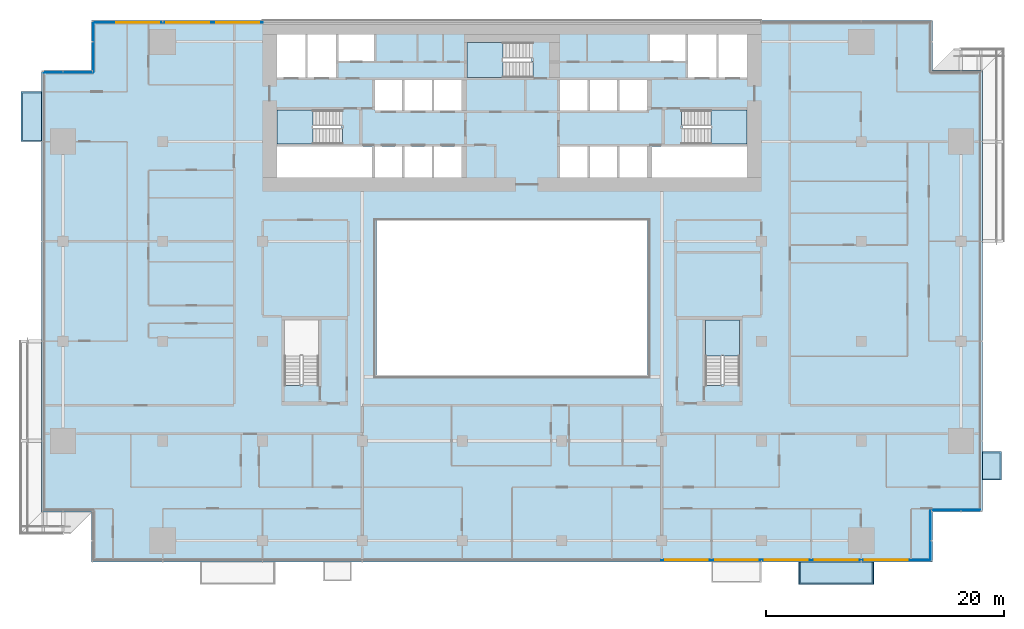
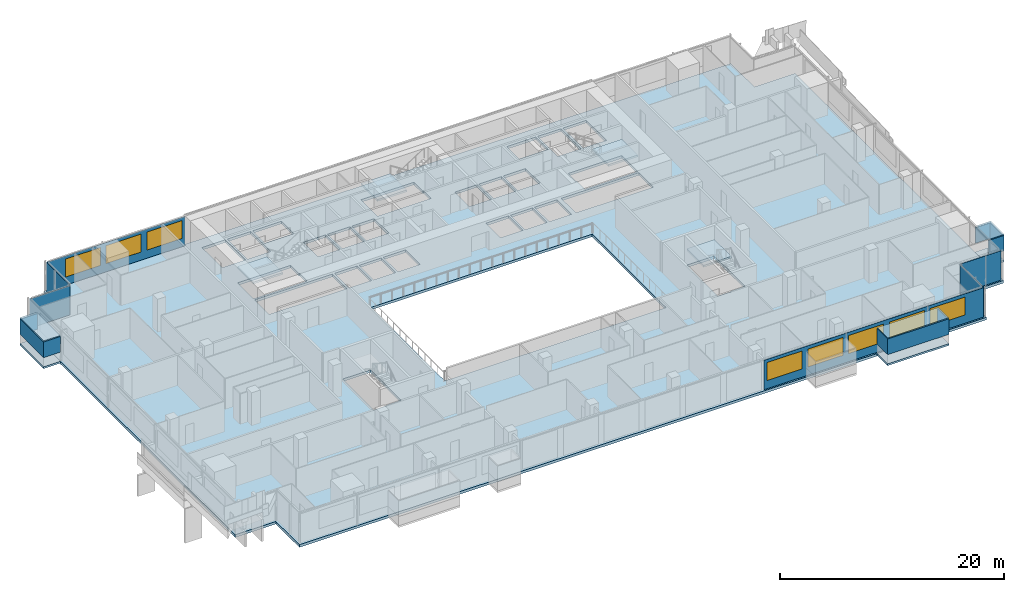
# One storey, part 16 of 29: 12 plates, 8 slabs, 8 windows, 8 openings, 10 elements without a shape of their own.
"""IFC4 building model written with IfcOpenShell, lengths in metres."""

from ifc_helpers import new_model, si_unit, direction, frame, frame_2d, origin, place, context, subcontext, project, spatial, polyline, rectangle, outline, extrude, material, layer, layer_set, type_object, element, fill, aggregate, save


model = new_model("IFC4")

# Units and contexts
model_context = context("Model", 3, precision=1e-05, world=origin(), true_north=direction((0.0, 1.0)))
body_context = subcontext(model_context, "Body", "Model", "MODEL_VIEW")
ifc_project = project(units=[si_unit("LENGTHUNIT", "METRE"), si_unit("AREAUNIT", "SQUARE_METRE"), si_unit("VOLUMEUNIT", "CUBIC_METRE"), si_unit("PLANEANGLEUNIT", "RADIAN"), si_unit("MASSUNIT", "GRAM", prefix="KILO")], contexts=[model_context])

# Site, building, storey
site_placement = place(None, origin())
site = spatial("IfcSite", under=ifc_project, at=site_placement, CompositionType="ELEMENT")
building_placement = place(site_placement, origin())
building = spatial("IfcBuilding", under=site, at=building_placement, Name="Saffron Gate Tower", CompositionType="ELEMENT")
storey_placement = place(building_placement, frame((0.0, 0.0, 55.199951171875)))
storey = spatial("IfcBuildingStorey", under=building, at=storey_placement, Name="L12", CompositionType="ELEMENT", Elevation=55.199951171875)

# Curtain wall, plate, openings, windows
ifc_material_1 = material(Name="Aluminium, bronze anodised", Category="aluminium")
curtain_wall_type_1 = type_object("IfcCurtainWallType", Name="CWS1 curtain wall front facade", PredefinedType="NOTDEFINED", material=ifc_material_1)
curtain_wall_1_placement = place(storey_placement, origin())
curtain_wall_1 = element("IfcCurtainWall", 1, at=curtain_wall_1_placement, inside=storey, type_object=curtain_wall_type_1, Name="CWS1 run 1", PredefinedType="NOTDEFINED")
ifc_material_2 = material(Name="Fritted bronze-tinted laminated glass", Category="glass")
ifc_layer_1 = layer(ifc_material_2, 0.028076171875)
ifc_layer_set_1 = layer_set([ifc_layer_1], Name="CWS1 fixed glass")
plate_type_1 = type_object("IfcPlateType", Name="CWS1 fixed glass", PredefinedType="CURTAIN_PANEL", material=ifc_layer_set_1)
plate_1_placement = place(storey_placement, frame((100.169921875, 30.174072265625, 0.0), z_axis=(0.0, 0.0, 1.0), x_axis=(1.0, 0.0, 0.0)))
plate_1 = element("IfcPlate", 2, at=plate_1_placement, type_object=plate_type_1, Name="CWS1 glass panel", PredefinedType="CURTAIN_PANEL", context=body_context, shape_type="SweptSolid", body=[
    extrude(rectangle(XDim=22.64208984375, YDim=0.028076171875, at=frame_2d((11.321044921875, 0.0))), origin(), (0.0, 0.0, 1.0), 3.199951171875),
])
opening_1_placement = place(plate_1_placement, frame((0.330078125, 0.0, 0.89990234375)))
opening_1 = element("IfcOpeningElement", 3, at=opening_1_placement, cuts=plate_1, Name="Opening W1", PredefinedType="OPENING", context=body_context, shape_type="SweptSolid", body=[
    extrude(rectangle(XDim=3.60009765625, YDim=1.949951171875, at=frame_2d((1.800048828125, 0.97509765625))), frame((0.0, 0.02392578125, 0.0), z_axis=(0.0, -1.0, 0.0), x_axis=(1.0, 0.0, 0.0)), (0.0, 0.0, 1.0), 0.048095703125),
])
opening_2_placement = place(plate_1_placement, frame((4.530029296875, 0.0, 0.89990234375)))
opening_2 = element("IfcOpeningElement", 4, at=opening_2_placement, cuts=plate_1, Name="Opening W1", PredefinedType="OPENING", context=body_context, shape_type="SweptSolid", body=[
    extrude(rectangle(XDim=3.60009765625, YDim=1.949951171875, at=frame_2d((1.800048828125, 0.97509765625))), frame((0.0, 0.02392578125, 0.0), z_axis=(0.0, -1.0, 0.0), x_axis=(1.0, 0.0, 0.0)), (0.0, 0.0, 1.0), 0.048095703125),
])
opening_3_placement = place(plate_1_placement, frame((8.72998046875, 0.0, 0.89990234375)))
opening_3 = element("IfcOpeningElement", 5, at=opening_3_placement, cuts=plate_1, Name="Opening W1", PredefinedType="OPENING", context=body_context, shape_type="SweptSolid", body=[
    extrude(rectangle(XDim=3.60009765625, YDim=1.949951171875, at=frame_2d((1.800048828125, 0.97509765625))), frame((0.0, 0.02392578125, 0.0), z_axis=(0.0, -1.0, 0.0), x_axis=(1.0, 0.0, 0.0)), (0.0, 0.0, 1.0), 0.048095703125),
])
opening_4_placement = place(plate_1_placement, frame((12.929931640625, 0.0, 0.89990234375)))
opening_4 = element("IfcOpeningElement", 6, at=opening_4_placement, cuts=plate_1, Name="Opening W1", PredefinedType="OPENING", context=body_context, shape_type="SweptSolid", body=[
    extrude(rectangle(XDim=3.60009765625, YDim=1.949951171875, at=frame_2d((1.800048828125, 0.97509765625))), frame((0.0, 0.02392578125, 0.0), z_axis=(0.0, -1.0, 0.0), x_axis=(1.0, 0.0, 0.0)), (0.0, 0.0, 1.0), 0.048095703125),
])
opening_5_placement = place(plate_1_placement, frame((17.1298828125, 0.0, 0.89990234375)))
opening_5 = element("IfcOpeningElement", 7, at=opening_5_placement, cuts=plate_1, Name="Opening W1", PredefinedType="OPENING", context=body_context, shape_type="SweptSolid", body=[
    extrude(rectangle(XDim=3.60009765625, YDim=1.949951171875, at=frame_2d((1.800048828125, 0.97509765625))), frame((0.0, 0.02392578125, 0.0), z_axis=(0.0, -1.0, 0.0), x_axis=(1.0, 0.0, 0.0)), (0.0, 0.0, 1.0), 0.048095703125),
])
ifc_material_3 = material(Name="Fritted bronze-tinted laminated glass in bronze frame", Category="glass")
ifc_layer_2 = layer(ifc_material_3, 0.06005859375)
ifc_layer_set_2 = layer_set([ifc_layer_2], Name="W1 operable panel 3600x1950")
window_type = type_object("IfcWindowType", Name="W1 operable panel 3600x1950", PartitioningType="DOUBLE_PANEL_HORIZONTAL", PredefinedType="WINDOW", material=ifc_layer_set_2)
window_1_placement = place(opening_1_placement, origin())
window_1 = element("IfcWindow", 8, at=window_1_placement, type_object=window_type, Name="W1 operable panel", OverallHeight=1.949951171875, OverallWidth=3.60009765625, PartitioningType="SINGLE_PANEL", PredefinedType="WINDOW", context=body_context, shape_type="SweptSolid", body=[
    extrude(rectangle(XDim=3.60009765625, YDim=1.949951171875, at=frame_2d((1.800048828125, 0.97509765625))), frame((0.0, 0.013671875, 0.0), z_axis=(0.0, -1.0, 0.0), x_axis=(1.0, 0.0, 0.0)), (0.0, 0.0, 1.0), 0.027587890625),
])
fill(opening_1, window_1)
window_2_placement = place(opening_2_placement, origin())
window_2 = element("IfcWindow", 9, at=window_2_placement, type_object=window_type, Name="W1 operable panel", OverallHeight=1.949951171875, OverallWidth=3.60009765625, PartitioningType="SINGLE_PANEL", PredefinedType="WINDOW", context=body_context, shape_type="SweptSolid", body=[
    extrude(rectangle(XDim=3.60009765625, YDim=1.949951171875, at=frame_2d((1.800048828125, 0.97509765625))), frame((0.0, 0.013671875, 0.0), z_axis=(0.0, -1.0, 0.0), x_axis=(1.0, 0.0, 0.0)), (0.0, 0.0, 1.0), 0.027587890625),
])
fill(opening_2, window_2)
window_3_placement = place(opening_3_placement, origin())
window_3 = element("IfcWindow", 10, at=window_3_placement, type_object=window_type, Name="W1 operable panel", OverallHeight=1.949951171875, OverallWidth=3.60009765625, PartitioningType="SINGLE_PANEL", PredefinedType="WINDOW", context=body_context, shape_type="SweptSolid", body=[
    extrude(rectangle(XDim=3.60009765625, YDim=1.949951171875, at=frame_2d((1.800048828125, 0.97509765625))), frame((0.0, 0.013671875, 0.0), z_axis=(0.0, -1.0, 0.0), x_axis=(1.0, 0.0, 0.0)), (0.0, 0.0, 1.0), 0.027587890625),
])
fill(opening_3, window_3)
window_4_placement = place(opening_4_placement, origin())
window_4 = element("IfcWindow", 11, at=window_4_placement, type_object=window_type, Name="W1 operable panel", OverallHeight=1.949951171875, OverallWidth=3.60009765625, PartitioningType="SINGLE_PANEL", PredefinedType="WINDOW", context=body_context, shape_type="SweptSolid", body=[
    extrude(rectangle(XDim=3.60009765625, YDim=1.949951171875, at=frame_2d((1.800048828125, 0.97509765625))), frame((0.0, 0.013671875, 0.0), z_axis=(0.0, -1.0, 0.0), x_axis=(1.0, 0.0, 0.0)), (0.0, 0.0, 1.0), 0.027587890625),
])
fill(opening_4, window_4)
window_5_placement = place(opening_5_placement, origin())
window_5 = element("IfcWindow", 12, at=window_5_placement, type_object=window_type, Name="W1 operable panel", OverallHeight=1.949951171875, OverallWidth=3.60009765625, PartitioningType="SINGLE_PANEL", PredefinedType="WINDOW", context=body_context, shape_type="SweptSolid", body=[
    extrude(rectangle(XDim=3.60009765625, YDim=1.949951171875, at=frame_2d((1.800048828125, 0.97509765625))), frame((0.0, 0.013671875, 0.0), z_axis=(0.0, -1.0, 0.0), x_axis=(1.0, 0.0, 0.0)), (0.0, 0.0, 1.0), 0.027587890625),
])
fill(opening_5, window_5)
aggregate(curtain_wall_1, [plate_1, window_1, window_2, window_3, window_4, window_5])

curtain_wall_type_2 = type_object("IfcCurtainWallType", Name="CWS3 curtain wall rear facade", PredefinedType="NOTDEFINED", material=ifc_material_1)
curtain_wall_2_placement = place(storey_placement, origin())
curtain_wall_2 = element("IfcCurtainWall", 13, at=curtain_wall_2_placement, inside=storey, type_object=curtain_wall_type_2, Name="CWS3 run 7", PredefinedType="NOTDEFINED")
ifc_material_4 = material(Name="Fritted grey-tinted laminated glass", Category="glass")
ifc_layer_3 = layer(ifc_material_4, 0.028076171875)
ifc_layer_set_3 = layer_set([ifc_layer_3], Name="CWS3 fixed glass")
plate_type_2 = type_object("IfcPlateType", Name="CWS3 fixed glass", PredefinedType="CURTAIN_PANEL", material=ifc_layer_set_3)
plate_2_placement = place(storey_placement, frame((66.635009765625, 75.426025390625, 0.0), z_axis=(0.0, 0.0, 1.0), x_axis=(-1.0, 0.0, 0.0)))
plate_2 = element("IfcPlate", 14, at=plate_2_placement, type_object=plate_type_2, Name="CWS3 glass panel", PredefinedType="CURTAIN_PANEL", context=body_context, shape_type="SweptSolid", body=[
    extrude(rectangle(XDim=14.2470703125, YDim=0.028076171875, at=frame_2d((7.12353515625, 0.0))), origin(), (0.0, 0.0, 1.0), 3.199951171875),
])
opening_6_placement = place(plate_2_placement, frame((0.3349609375, 0.0, 0.89990234375)))
opening_6 = element("IfcOpeningElement", 15, at=opening_6_placement, cuts=plate_2, Name="Opening W1", PredefinedType="OPENING", context=body_context, shape_type="SweptSolid", body=[
    extrude(rectangle(XDim=3.60009765625, YDim=1.949951171875, at=frame_2d((1.800048828125, 0.97509765625))), frame((0.0, 0.02392578125, 0.0), z_axis=(0.0, -1.0, 0.0), x_axis=(1.0, 0.0, 0.0)), (0.0, 0.0, 1.0), 0.048095703125),
])
opening_7_placement = place(plate_2_placement, frame((4.534912109375, 0.0, 0.89990234375)))
opening_7 = element("IfcOpeningElement", 16, at=opening_7_placement, cuts=plate_2, Name="Opening W1", PredefinedType="OPENING", context=body_context, shape_type="SweptSolid", body=[
    extrude(rectangle(XDim=3.60009765625, YDim=1.949951171875, at=frame_2d((1.800048828125, 0.97509765625))), frame((0.0, 0.02392578125, 0.0), z_axis=(0.0, -1.0, 0.0), x_axis=(1.0, 0.0, 0.0)), (0.0, 0.0, 1.0), 0.048095703125),
])
opening_8_placement = place(plate_2_placement, frame((8.735107421875, 0.0, 0.89990234375)))
opening_8 = element("IfcOpeningElement", 17, at=opening_8_placement, cuts=plate_2, Name="Opening W1", PredefinedType="OPENING", context=body_context, shape_type="SweptSolid", body=[
    extrude(rectangle(XDim=3.60009765625, YDim=1.949951171875, at=frame_2d((1.800048828125, 0.97509765625))), frame((0.0, 0.02392578125, 0.0), z_axis=(0.0, -1.0, 0.0), x_axis=(1.0, 0.0, 0.0)), (0.0, 0.0, 1.0), 0.048095703125),
])
window_6_placement = place(opening_6_placement, origin())
window_6 = element("IfcWindow", 18, at=window_6_placement, type_object=window_type, Name="W1 operable panel", OverallHeight=1.949951171875, OverallWidth=3.60009765625, PartitioningType="SINGLE_PANEL", PredefinedType="WINDOW", context=body_context, shape_type="SweptSolid", body=[
    extrude(rectangle(XDim=3.60009765625, YDim=1.949951171875, at=frame_2d((1.800048828125, 0.97509765625))), frame((0.0, 0.013671875, 0.0), z_axis=(0.0, -1.0, 0.0), x_axis=(1.0, 0.0, 0.0)), (0.0, 0.0, 1.0), 0.027587890625),
])
fill(opening_6, window_6)
window_7_placement = place(opening_7_placement, origin())
window_7 = element("IfcWindow", 19, at=window_7_placement, type_object=window_type, Name="W1 operable panel", OverallHeight=1.949951171875, OverallWidth=3.60009765625, PartitioningType="SINGLE_PANEL", PredefinedType="WINDOW", context=body_context, shape_type="SweptSolid", body=[
    extrude(rectangle(XDim=3.60009765625, YDim=1.949951171875, at=frame_2d((1.800048828125, 0.97509765625))), frame((0.0, 0.013671875, 0.0), z_axis=(0.0, -1.0, 0.0), x_axis=(1.0, 0.0, 0.0)), (0.0, 0.0, 1.0), 0.027587890625),
])
fill(opening_7, window_7)
window_8_placement = place(opening_8_placement, origin())
window_8 = element("IfcWindow", 20, at=window_8_placement, type_object=window_type, Name="W1 operable panel", OverallHeight=1.949951171875, OverallWidth=3.60009765625, PartitioningType="SINGLE_PANEL", PredefinedType="WINDOW", context=body_context, shape_type="SweptSolid", body=[
    extrude(rectangle(XDim=3.60009765625, YDim=1.949951171875, at=frame_2d((1.800048828125, 0.97509765625))), frame((0.0, 0.013671875, 0.0), z_axis=(0.0, -1.0, 0.0), x_axis=(1.0, 0.0, 0.0)), (0.0, 0.0, 1.0), 0.027587890625),
])
fill(opening_8, window_8)
aggregate(curtain_wall_2, [plate_2, window_6, window_7, window_8])

# Curtain wall, plate
curtain_wall_type_3 = type_object("IfcCurtainWallType", Name="CWS4 curtain wall corner returns", PredefinedType="NOTDEFINED", material=ifc_material_1)
curtain_wall_3_placement = place(storey_placement, origin())
curtain_wall_3 = element("IfcCurtainWall", 21, at=curtain_wall_3_placement, inside=storey, type_object=curtain_wall_type_3, Name="CWS4 run 2", PredefinedType="NOTDEFINED")
ifc_layer_4 = layer(ifc_material_2, 0.028076171875)
ifc_layer_set_4 = layer_set([ifc_layer_4], Name="CWS4 fixed glass")
plate_type_3 = type_object("IfcPlateType", Name="CWS4 fixed glass", PredefinedType="CURTAIN_PANEL", material=ifc_layer_set_4)
plate_3_placement = place(storey_placement, frame((122.825927734375, 30.18798828125, 0.0), z_axis=(0.0, 0.0, 1.0), x_axis=(0.0, 1.0, 0.0)))
plate_3 = element("IfcPlate", 22, at=plate_3_placement, type_object=plate_type_3, Name="CWS4 glass panel", PredefinedType="CURTAIN_PANEL", context=body_context, shape_type="SweptSolid", body=[
    extrude(rectangle(XDim=4.172119140625, YDim=0.028076171875, at=frame_2d((2.0859375, 0.0))), origin(), (0.0, 0.0, 1.0), 3.199951171875),
])
aggregate(curtain_wall_3, [plate_3])

curtain_wall_4_placement = place(storey_placement, origin())
curtain_wall_4 = element("IfcCurtainWall", 23, at=curtain_wall_4_placement, inside=storey, type_object=curtain_wall_type_3, Name="CWS4 run 3", PredefinedType="NOTDEFINED")
plate_4_placement = place(storey_placement, frame((122.840087890625, 34.3740234375, 0.0), z_axis=(0.0, 0.0, 1.0), x_axis=(1.0, 0.0, 0.0)))
plate_4 = element("IfcPlate", 24, at=plate_4_placement, type_object=plate_type_3, Name="CWS4 glass panel", PredefinedType="CURTAIN_PANEL", context=body_context, shape_type="SweptSolid", body=[
    extrude(rectangle(XDim=4.171875, YDim=0.028076171875, at=frame_2d((2.0859375, 0.0))), origin(), (0.0, 0.0, 1.0), 3.199951171875),
])
aggregate(curtain_wall_4, [plate_4])

curtain_wall_5_placement = place(storey_placement, origin())
curtain_wall_5 = element("IfcCurtainWall", 25, at=curtain_wall_5_placement, inside=storey, type_object=curtain_wall_type_3, Name="CWS4 run 8", PredefinedType="NOTDEFINED")
plate_5_placement = place(storey_placement, frame((52.3740234375, 75.412109375, 0.0), z_axis=(0.0, 0.0, 1.0), x_axis=(0.0, -1.0, 0.0)))
plate_5 = element("IfcPlate", 26, at=plate_5_placement, type_object=plate_type_3, Name="CWS4 glass panel", PredefinedType="CURTAIN_PANEL", context=body_context, shape_type="SweptSolid", body=[
    extrude(rectangle(XDim=4.172119140625, YDim=0.028076171875, at=frame_2d((2.0859375, 0.0))), origin(), (0.0, 0.0, 1.0), 3.199951171875),
])
aggregate(curtain_wall_5, [plate_5])

curtain_wall_6_placement = place(storey_placement, origin())
curtain_wall_6 = element("IfcCurtainWall", 27, at=curtain_wall_6_placement, inside=storey, type_object=curtain_wall_type_3, Name="CWS4 run 9", PredefinedType="NOTDEFINED")
plate_6_placement = place(storey_placement, frame((52.360107421875, 71.22607421875, 0.0), z_axis=(0.0, 0.0, 1.0), x_axis=(-1.0, 0.0, 0.0)))
plate_6 = element("IfcPlate", 28, at=plate_6_placement, type_object=plate_type_3, Name="CWS4 glass panel", PredefinedType="CURTAIN_PANEL", context=body_context, shape_type="SweptSolid", body=[
    extrude(rectangle(XDim=4.172119140625, YDim=0.028076171875, at=frame_2d((2.0859375, 0.0))), origin(), (0.0, 0.0, 1.0), 3.199951171875),
])
aggregate(curtain_wall_6, [plate_6])

# Slab
ifc_material_5 = material(Name="Concrete C40", Category="concrete")
ifc_layer_5 = layer(ifc_material_5, 0.280029296875)
ifc_layer_set_5 = layer_set([ifc_layer_5], Name="S2 FLOOR SLAB 280 CONCRETE C40")
slab_type_1 = type_object("IfcSlabType", Name="S2 FLOOR SLAB 280 CONCRETE C40", PredefinedType="FLOOR", material=ifc_layer_set_5)
slab_1_placement = place(storey_placement, frame((0.0, 0.0, -0.280029296875)))
element("IfcSlab", 29, at=slab_1_placement, inside=storey, type_object=slab_type_1, Name="S2 FLOOR SLAB", PredefinedType="FLOOR", context=body_context, shape_type="SweptSolid", body=[
    extrude(outline(polyline([(48.0, 34.199951171875), (52.199951171875, 34.199951171875), (52.199951171875, 30.0), (123.0, 30.0), (123.0, 34.199951171875), (127.199951171875, 34.199951171875), (127.199951171875, 71.39990234375), (123.0, 71.39990234375), (123.0, 75.60009765625), (52.199951171875, 75.60009765625), (52.199951171875, 71.39990234375), (48.0, 71.39990234375), (48.0, 34.199951171875)]), holes=[polyline([(67.800048828125, 62.39990234375), (67.800048828125, 65.0), (75.800048828125, 65.0), (75.800048828125, 62.39990234375), (67.800048828125, 62.39990234375)]), polyline([(67.800048828125, 65.199951171875), (67.800048828125, 68.050048828125), (73.25, 68.050048828125), (73.25, 66.550048828125), (73.34912109375, 66.550048828125), (73.34912109375, 65.199951171875), (67.800048828125, 65.199951171875)]), polyline([(67.800048828125, 70.800048828125), (67.800048828125, 74.39990234375), (70.199951171875, 74.39990234375), (70.199951171875, 70.800048828125), (67.800048828125, 70.800048828125)]), polyline([(68.449951171875, 44.85107421875), (68.449951171875, 50.39990234375), (71.300048828125, 50.39990234375), (71.300048828125, 44.949951171875), (69.800048828125, 44.949951171875), (69.800048828125, 44.85107421875), (68.449951171875, 44.85107421875)]), polyline([(70.39990234375, 70.800048828125), (70.39990234375, 74.39990234375), (72.800048828125, 74.39990234375), (72.800048828125, 70.800048828125), (70.39990234375, 70.800048828125)]), polyline([(73.0, 72.199951171875), (73.0, 74.39990234375), (76.0, 74.39990234375), (76.0, 72.199951171875), (73.0, 72.199951171875)]), polyline([(76.050048828125, 62.39990234375), (76.050048828125, 65.0), (78.35009765625, 65.0), (78.35009765625, 62.39990234375), (76.050048828125, 62.39990234375)]), polyline([(76.050048828125, 68.0), (76.050048828125, 70.60009765625), (78.35009765625, 70.60009765625), (78.35009765625, 68.0), (76.050048828125, 68.0)]), polyline([(76.199951171875, 45.60009765625), (76.199951171875, 58.800048828125), (99.0, 58.800048828125), (99.0, 45.60009765625), (76.199951171875, 45.60009765625)]), polyline([(78.550048828125, 62.39990234375), (78.550048828125, 65.0), (80.85009765625, 65.0), (80.85009765625, 62.39990234375), (78.550048828125, 62.39990234375)]), polyline([(78.550048828125, 68.0), (78.550048828125, 70.60009765625), (80.85009765625, 70.60009765625), (80.85009765625, 68.0), (78.550048828125, 68.0)]), polyline([(81.050048828125, 62.39990234375), (81.050048828125, 65.0), (83.35009765625, 65.0), (83.35009765625, 62.39990234375), (81.050048828125, 62.39990234375)]), polyline([(81.050048828125, 68.0), (81.050048828125, 70.60009765625), (83.35009765625, 70.60009765625), (83.35009765625, 68.0), (81.050048828125, 68.0)]), polyline([(83.800048828125, 70.800048828125), (83.800048828125, 73.75), (89.25, 73.75), (89.25, 72.14990234375), (89.34912109375, 72.14990234375), (89.34912109375, 70.800048828125), (83.800048828125, 70.800048828125)]), polyline([(91.64990234375, 62.39990234375), (91.64990234375, 65.0), (93.949951171875, 65.0), (93.949951171875, 62.39990234375), (91.64990234375, 62.39990234375)]), polyline([(91.64990234375, 68.0), (91.64990234375, 70.60009765625), (93.949951171875, 70.60009765625), (93.949951171875, 68.0), (91.64990234375, 68.0)]), polyline([(94.14990234375, 62.39990234375), (94.14990234375, 65.0), (96.449951171875, 65.0), (96.449951171875, 62.39990234375), (94.14990234375, 62.39990234375)]), polyline([(94.14990234375, 68.0), (94.14990234375, 70.60009765625), (96.449951171875, 70.60009765625), (96.449951171875, 68.0), (94.14990234375, 68.0)]), polyline([(96.64990234375, 62.39990234375), (96.64990234375, 65.0), (98.949951171875, 65.0), (98.949951171875, 62.39990234375), (96.64990234375, 62.39990234375)]), polyline([(96.64990234375, 68.0), (96.64990234375, 70.60009765625), (98.949951171875, 70.60009765625), (98.949951171875, 68.0), (96.64990234375, 68.0)]), polyline([(99.199951171875, 72.199951171875), (99.199951171875, 74.39990234375), (102.199951171875, 74.39990234375), (102.199951171875, 72.199951171875), (99.199951171875, 72.199951171875)]), polyline([(99.39990234375, 62.39990234375), (99.39990234375, 65.0), (107.39990234375, 65.0), (107.39990234375, 62.39990234375), (99.39990234375, 62.39990234375)]), polyline([(101.85107421875, 66.699951171875), (101.85107421875, 68.050048828125), (107.39990234375, 68.050048828125), (107.39990234375, 65.199951171875), (101.949951171875, 65.199951171875), (101.949951171875, 66.699951171875), (101.85107421875, 66.699951171875)]), polyline([(102.39990234375, 70.800048828125), (102.39990234375, 74.39990234375), (104.800048828125, 74.39990234375), (104.800048828125, 70.800048828125), (102.39990234375, 70.800048828125)]), polyline([(103.89990234375, 44.85107421875), (103.89990234375, 50.39990234375), (106.75, 50.39990234375), (106.75, 44.949951171875), (105.25, 44.949951171875), (105.25, 44.85107421875), (103.89990234375, 44.85107421875)]), polyline([(105.0, 70.800048828125), (105.0, 74.39990234375), (107.39990234375, 74.39990234375), (107.39990234375, 70.800048828125), (105.0, 70.800048828125)])]), origin(), (0.0, 0.0, 1.0), 0.280029296875),
])

# Stair, slab
stair_type = type_object("IfcStairType", Name="ST7 Stair 1350 wide, 20 risers of 180", PredefinedType="HALF_TURN_STAIR", material=ifc_material_5)
stair_1_placement = place(storey_placement, origin())
stair_1 = element("IfcStair", 30, at=stair_1_placement, inside=storey, type_object=stair_type, Name="L12 Exit stair A", PredefinedType="HALF_TURN_STAIR")
ifc_layer_6 = layer(ifc_material_5, 0.199951171875)
ifc_layer_set_6 = layer_set([ifc_layer_6], Name="SL1 Stair landing 200")
slab_type_2 = type_object("IfcSlabType", Name="SL1 Stair landing 200", PredefinedType="LANDING", material=ifc_layer_set_6)
slab_2_placement = place(storey_placement, frame((0.0, 0.0, 1.60009765625)))
slab_2 = element("IfcSlab", 31, at=slab_2_placement, type_object=slab_type_2, Name="ST-A landing 1", PredefinedType="LANDING", context=body_context, shape_type="SweptSolid", body=[
    extrude(outline(polyline([(70.830078125, 68.050048828125), (67.800048828125, 68.050048828125), (67.800048828125, 65.199951171875), (70.830078125, 65.199951171875), (70.830078125, 68.050048828125)])), origin(), (0.0, 0.0, 1.0), 0.199951171875),
])
aggregate(stair_1, [slab_2])

stair_2_placement = place(storey_placement, origin())
stair_2 = element("IfcStair", 32, at=stair_2_placement, inside=storey, type_object=stair_type, Name="L12 Exit stair B", PredefinedType="HALF_TURN_STAIR")
slab_3_placement = place(storey_placement, frame((0.0, 0.0, 1.60009765625)))
slab_3 = element("IfcSlab", 33, at=slab_3_placement, type_object=slab_type_2, Name="ST-B landing 1", PredefinedType="LANDING", context=body_context, shape_type="SweptSolid", body=[
    extrude(outline(polyline([(104.3701171875, 65.199951171875), (107.39990234375, 65.199951171875), (107.39990234375, 68.050048828125), (104.3701171875, 68.050048828125), (104.3701171875, 65.199951171875)])), origin(), (0.0, 0.0, 1.0), 0.199951171875),
])
aggregate(stair_2, [slab_3])

stair_3_placement = place(storey_placement, origin())
stair_3 = element("IfcStair", 34, at=stair_3_placement, inside=storey, type_object=stair_type, Name="L12 Exit stair C", PredefinedType="HALF_TURN_STAIR")
slab_4_placement = place(storey_placement, frame((0.0, 0.0, 1.60009765625)))
slab_4 = element("IfcSlab", 35, at=slab_4_placement, type_object=slab_type_2, Name="ST-C landing 1", PredefinedType="LANDING", context=body_context, shape_type="SweptSolid", body=[
    extrude(outline(polyline([(86.830078125, 73.75), (83.800048828125, 73.75), (83.800048828125, 70.800048828125), (86.830078125, 70.800048828125), (86.830078125, 73.75)])), origin(), (0.0, 0.0, 1.0), 0.199951171875),
])
aggregate(stair_3, [slab_4])

stair_4_placement = place(storey_placement, origin())
stair_4 = element("IfcStair", 36, at=stair_4_placement, inside=storey, type_object=stair_type, Name="L12 Exit stair E", PredefinedType="HALF_TURN_STAIR")
slab_5_placement = place(storey_placement, frame((0.0, 0.0, 1.60009765625)))
slab_5 = element("IfcSlab", 37, at=slab_5_placement, type_object=slab_type_2, Name="ST-E landing 1", PredefinedType="LANDING", context=body_context, shape_type="SweptSolid", body=[
    extrude(outline(polyline([(106.75, 47.3701171875), (106.75, 50.39990234375), (103.89990234375, 50.39990234375), (103.89990234375, 47.3701171875), (106.75, 47.3701171875)])), origin(), (0.0, 0.0, 1.0), 0.199951171875),
])
aggregate(stair_4, [slab_5])

# Slabs
ifc_material_6 = material(Name="Timber deck on bronze frame", Category="wood")
ifc_layer_7 = layer(ifc_material_6, 0.199951171875)
ifc_layer_set_7 = layer_set([ifc_layer_7], Name="WB1 box floor")
slab_type_3 = type_object("IfcSlabType", Name="WB1 box floor", PredefinedType="FLOOR", material=ifc_layer_set_7)
slab_6_placement = place(storey_placement, frame((0.0, 0.0, -0.199951171875)))
element("IfcSlab", 38, at=slab_6_placement, inside=storey, type_object=slab_type_3, Name="WINDOW BOX floor", PredefinedType="FLOOR", context=body_context, shape_type="SweptSolid", body=[
    extrude(outline(polyline([(111.75, 30.0), (118.050048828125, 30.0), (118.050048828125, 28.133056640625), (111.75, 28.133056640625), (111.75, 30.0)])), origin(), (0.0, 0.0, 1.0), 0.199951171875),
])
slab_7_placement = place(storey_placement, frame((0.0, 0.0, -0.199951171875)))
element("IfcSlab", 39, at=slab_7_placement, inside=storey, type_object=slab_type_3, Name="WINDOW BOX floor", PredefinedType="FLOOR", context=body_context, shape_type="SweptSolid", body=[
    extrude(outline(polyline([(127.199951171875, 36.89990234375), (127.199951171875, 39.300048828125), (128.800048828125, 39.300048828125), (128.800048828125, 36.89990234375), (127.199951171875, 36.89990234375)])), origin(), (0.0, 0.0, 1.0), 0.199951171875),
])
slab_8_placement = place(storey_placement, frame((0.0, 0.0, -0.199951171875)))
element("IfcSlab", 40, at=slab_8_placement, inside=storey, type_object=slab_type_3, Name="WINDOW BOX floor", PredefinedType="FLOOR", context=body_context, shape_type="SweptSolid", body=[
    extrude(outline(polyline([(48.0, 69.60009765625), (48.0, 65.39990234375), (46.26708984375, 65.39990234375), (46.26708984375, 69.60009765625), (48.0, 69.60009765625)])), origin(), (0.0, 0.0, 1.0), 0.199951171875),
])

# Plates
ifc_layer_8 = layer(ifc_material_1, 0.1201171875)
ifc_layer_set_8 = layer_set([ifc_layer_8], Name="WB2 box roof")
plate_type_4 = type_object("IfcPlateType", Name="WB2 box roof", PredefinedType="SHEET", material=ifc_layer_set_8)
plate_7_placement = place(storey_placement, frame((0.0, 0.0, 2.699951171875)))
element("IfcPlate", 41, at=plate_7_placement, inside=storey, type_object=plate_type_4, Name="WINDOW BOX roof", PredefinedType="SHEET", context=body_context, shape_type="SweptSolid", body=[
    extrude(outline(polyline([(111.75, 30.0), (118.050048828125, 30.0), (118.050048828125, 28.133056640625), (111.75, 28.133056640625), (111.75, 30.0)])), origin(), (0.0, 0.0, 1.0), 0.1201171875),
])
plate_8_placement = place(storey_placement, frame((0.0, 0.0, 2.699951171875)))
element("IfcPlate", 42, at=plate_8_placement, inside=storey, type_object=plate_type_4, Name="WINDOW BOX roof", PredefinedType="SHEET", context=body_context, shape_type="SweptSolid", body=[
    extrude(outline(polyline([(127.199951171875, 36.89990234375), (127.199951171875, 39.300048828125), (128.800048828125, 39.300048828125), (128.800048828125, 36.89990234375), (127.199951171875, 36.89990234375)])), origin(), (0.0, 0.0, 1.0), 0.1201171875),
])
plate_9_placement = place(storey_placement, frame((0.0, 0.0, 2.699951171875)))
element("IfcPlate", 43, at=plate_9_placement, inside=storey, type_object=plate_type_4, Name="WINDOW BOX roof", PredefinedType="SHEET", context=body_context, shape_type="SweptSolid", body=[
    extrude(outline(polyline([(48.0, 69.60009765625), (48.0, 65.39990234375), (46.26708984375, 65.39990234375), (46.26708984375, 69.60009765625), (48.0, 69.60009765625)])), origin(), (0.0, 0.0, 1.0), 0.1201171875),
])
ifc_material_7 = material(Name="Clear low-iron laminated glass", Category="glass")
ifc_layer_9 = layer(ifc_material_7, 0.10009765625)
ifc_layer_set_9 = layer_set([ifc_layer_9], Name="WB6 box glazing")
plate_type_5 = type_object("IfcPlateType", Name="WB6 box glazing", PredefinedType="SHEET", material=ifc_layer_set_9)
plate_10_placement = place(storey_placement, frame((0.0, 0.0, 1.0)))
element("IfcPlate", 44, at=plate_10_placement, inside=storey, type_object=plate_type_5, Name="WINDOW BOX glazing", PredefinedType="SHEET", context=body_context, shape_type="SweptSolid", body=[
    extrude(outline(polyline([(111.75, 30.0), (111.85009765625, 30.0), (111.85009765625, 28.23291015625), (117.949951171875, 28.23291015625), (117.949951171875, 30.0), (118.050048828125, 30.0), (118.050048828125, 28.133056640625), (111.75, 28.133056640625), (111.75, 30.0)])), origin(), (0.0, 0.0, 1.0), 1.699951171875),
])
plate_11_placement = place(storey_placement, frame((0.0, 0.0, 1.0)))
element("IfcPlate", 45, at=plate_11_placement, inside=storey, type_object=plate_type_5, Name="WINDOW BOX glazing", PredefinedType="SHEET", context=body_context, shape_type="SweptSolid", body=[
    extrude(outline(polyline([(127.199951171875, 36.89990234375), (127.199951171875, 37.0), (128.699951171875, 37.0), (128.699951171875, 39.199951171875), (127.199951171875, 39.199951171875), (127.199951171875, 39.300048828125), (128.800048828125, 39.300048828125), (128.800048828125, 36.89990234375), (127.199951171875, 36.89990234375)])), origin(), (0.0, 0.0, 1.0), 1.699951171875),
])
plate_12_placement = place(storey_placement, frame((0.0, 0.0, 1.0)))
element("IfcPlate", 46, at=plate_12_placement, inside=storey, type_object=plate_type_5, Name="WINDOW BOX glazing", PredefinedType="SHEET", context=body_context, shape_type="SweptSolid", body=[
    extrude(outline(polyline([(48.0, 69.60009765625), (48.0, 69.5), (46.366943359375, 69.5), (46.366943359375, 65.5), (48.0, 65.5), (48.0, 65.39990234375), (46.26708984375, 65.39990234375), (46.26708984375, 69.60009765625), (48.0, 69.60009765625)])), origin(), (0.0, 0.0, 1.0), 1.699951171875),
])

save(model, "model.ifc")
